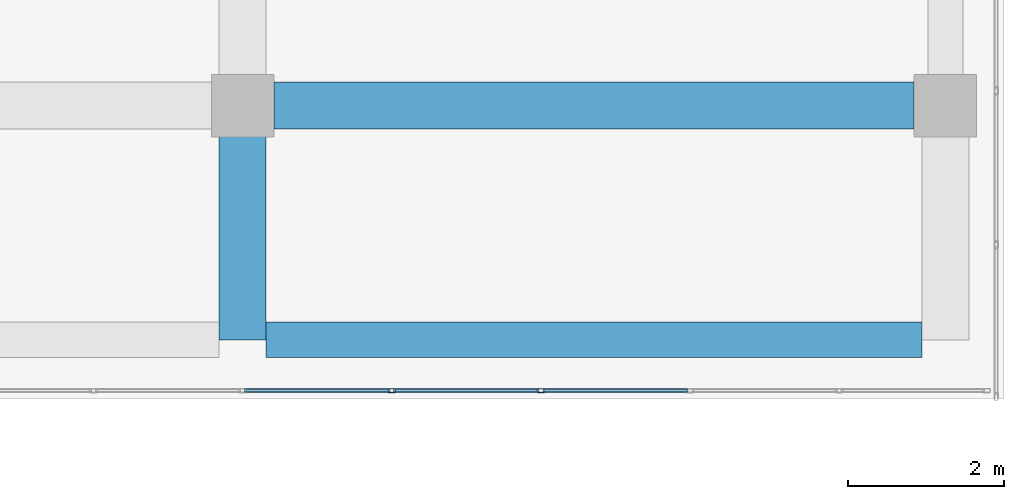
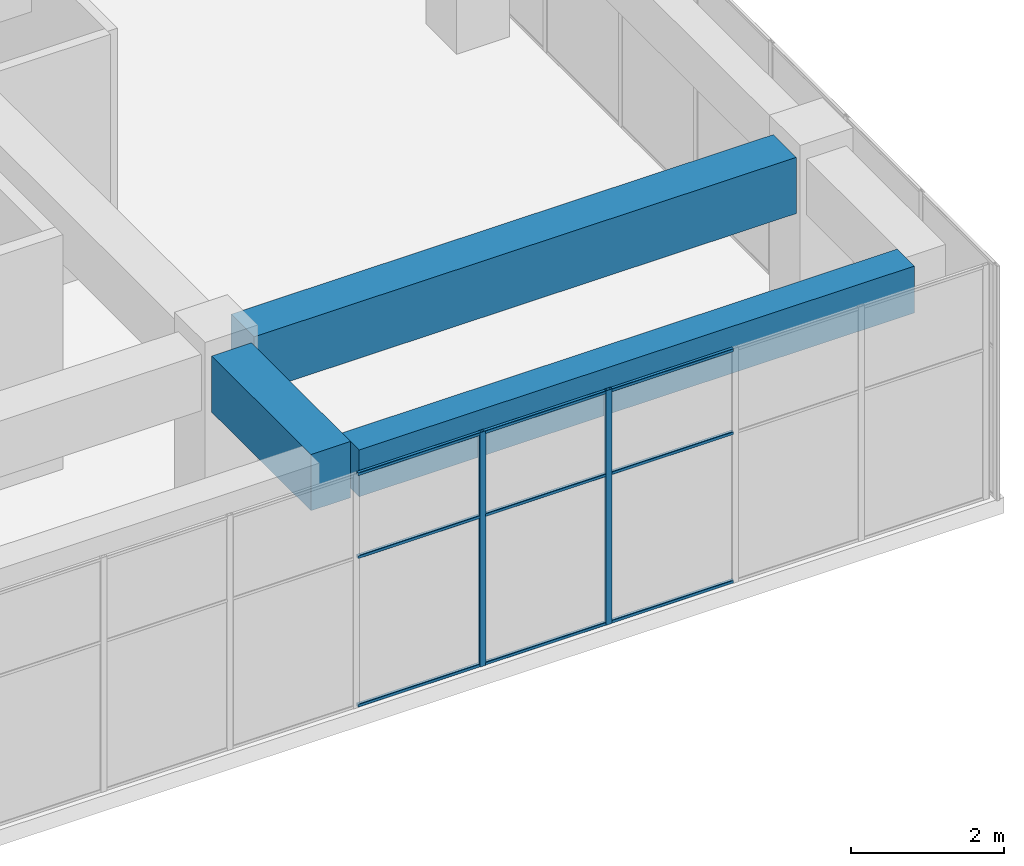
# One storey, part 25 of 55: 11 members, 3 beams, 1 element without a shape of its own.
"""IFC4 building model written with IfcOpenShell, lengths in metres."""

from ifc_helpers import new_model, si_unit, direction, frame, origin, origin_2d, place, context, subcontext, project, spatial, rectangle, hollow_rectangle, extrude, material, layer, layer_set, material_profile, profile_set, type_object, element, aggregate, save


model = new_model("IFC4")

# Units and contexts
model_context = context("Model", 3, precision=1e-05, world=origin(), true_north=direction((0.0, 1.0)))
body_context = subcontext(model_context, "Body", "Model", "MODEL_VIEW")
ifc_project = project(units=[si_unit("LENGTHUNIT", "METRE"), si_unit("AREAUNIT", "SQUARE_METRE"), si_unit("VOLUMEUNIT", "CUBIC_METRE"), si_unit("PLANEANGLEUNIT", "RADIAN"), si_unit("MASSUNIT", "GRAM", prefix="KILO")], contexts=[model_context])

# Site, building, storey
site_placement = place(None, origin())
site = spatial("IfcSite", under=ifc_project, at=site_placement, CompositionType="ELEMENT")
building_placement = place(site_placement, origin())
building = spatial("IfcBuilding", under=site, at=building_placement, Name="Tuart Plaza Theatre", CompositionType="ELEMENT")
storey_placement = place(building_placement, frame((0.0, 0.0, 21.5)))
storey = spatial("IfcBuildingStorey", under=building, at=storey_placement, Name="L05", CompositionType="ELEMENT", Elevation=21.5)

# Beams
ifc_material_1 = material(Name="Concrete N40 (40 MPa)", Category="concrete")
ifc_material_profile_1 = material_profile(ifc_material_1, rectangle(XDim=0.449951171875, YDim=0.75, at=origin_2d()), Name="BEAM 450x750 Concrete N40 (40 MPa)")
ifc_profile_set_1 = profile_set([ifc_material_profile_1], Name="Concrete N40 (40 MPa)")
beam_type_1 = type_object("IfcBeamType", Name="BEAM 450x750 Concrete N40 (40 MPa)", PredefinedType="BEAM", material=ifc_profile_set_1)
beam_1_placement = place(storey_placement, frame((141.300048828125, 53.0, 3.375), z_axis=(1.0, 0.0, 0.0), x_axis=(0.0, 1.0, 0.0)))
element("IfcBeam", 1, at=beam_1_placement, inside=storey, type_object=beam_type_1, Name="RB229", PredefinedType="BEAM", context=body_context, shape_type="SweptSolid", body=[
    extrude(rectangle(XDim=0.449951171875, YDim=0.75, at=origin_2d()), origin(), (0.0, 0.0, 1.0), 8.39990234375),
])
ifc_material_2 = material(Name="Concrete N40 (40 MPa)", Category="concrete")
ifc_material_profile_2 = material_profile(ifc_material_2, rectangle(XDim=0.60009765625, YDim=0.89990234375, at=origin_2d()), Name="BEAM 600x900 Concrete N40 (40 MPa)")
ifc_profile_set_2 = profile_set([ifc_material_profile_2], Name="Concrete N40 (40 MPa)")
beam_type_2 = type_object("IfcBeamType", Name="BEAM 600x900 Concrete N40 (40 MPa)", PredefinedType="BEAM", material=ifc_profile_set_2)
beam_2_placement = place(storey_placement, frame((141.0, 53.0, 3.300048828125), z_axis=(0.0, 1.0, 0.0), x_axis=(-1.0, 0.0, 0.0)))
element("IfcBeam", 2, at=beam_2_placement, inside=storey, type_object=beam_type_2, Name="RB228", PredefinedType="BEAM", context=body_context, shape_type="SweptSolid", body=[
    extrude(rectangle(XDim=0.60009765625, YDim=0.89990234375, at=origin_2d()), origin(), (0.0, 0.0, 1.0), 2.60009765625),
])
beam_3_placement = place(storey_placement, frame((141.39990234375, 56.0, 3.300048828125), z_axis=(1.0, 0.0, 0.0), x_axis=(0.0, 1.0, 0.0)))
element("IfcBeam", 3, at=beam_3_placement, inside=storey, type_object=beam_type_2, Name="RB231", PredefinedType="BEAM", context=body_context, shape_type="SweptSolid", body=[
    extrude(rectangle(XDim=0.60009765625, YDim=0.89990234375, at=origin_2d()), origin(), (0.0, 0.0, 1.0), 8.2001953125),
])

# Curtain wall, members
ifc_material_3 = material(Name="Aluminium and glass", Category="aluminium")
ifc_layer = layer(ifc_material_3, 0.10009765625)
ifc_layer_set = layer_set([ifc_layer], Name="CURTAIN WALL 2000 module")
curtain_wall_type = type_object("IfcCurtainWallType", Name="CURTAIN WALL 2000 module", PredefinedType="NOTDEFINED", material=ifc_layer_set)
curtain_wall_placement = place(storey_placement, origin())
curtain_wall = element("IfcCurtainWall", 4, at=curtain_wall_placement, inside=storey, type_object=curtain_wall_type, Name="CW76", PredefinedType="NOTDEFINED")
ifc_material_4 = material(Name="Aluminium 6063-T5", Category="aluminium")
ifc_material_profile_3 = material_profile(ifc_material_4, hollow_rectangle(XDim=0.050048828125, YDim=0.10009765625, WallThickness=0.00390625, InnerFilletRadius=0.00390625, OuterFilletRadius=0.008056640625, at=origin_2d()), Name="RHS 100x50x4")
ifc_profile_set_3 = profile_set([ifc_material_profile_3], Name="Aluminium 6063-T5")
member_type_1 = type_object("IfcMemberType", Name="MULLION RHS 100x50x4", PredefinedType="MULLION", material=ifc_profile_set_3)
member_1_placement = place(storey_placement, frame((142.909912109375, 52.35009765625, 0.0), z_axis=(0.0, 0.0, 1.0), x_axis=(0.0, 1.0, 0.0)))
member_1 = element("IfcMember", 5, at=member_1_placement, type_object=member_type_1, Name="CW76 mullion 7", PredefinedType="MULLION", context=body_context, shape_type="SweptSolid", body=[
    extrude(hollow_rectangle(XDim=0.050048828125, YDim=0.10009765625, WallThickness=0.00390625, InnerFilletRadius=0.00390625, OuterFilletRadius=0.008056640625, at=origin_2d()), origin(), (0.0, 0.0, 1.0), 3.75),
])
member_2_placement = place(storey_placement, frame((144.820068359375, 52.35009765625, 0.0), z_axis=(0.0, 0.0, 1.0), x_axis=(0.0, 1.0, 0.0)))
member_2 = element("IfcMember", 6, at=member_2_placement, type_object=member_type_1, Name="CW76 mullion 8", PredefinedType="MULLION", context=body_context, shape_type="SweptSolid", body=[
    extrude(hollow_rectangle(XDim=0.050048828125, YDim=0.10009765625, WallThickness=0.00390625, InnerFilletRadius=0.00390625, OuterFilletRadius=0.008056640625, at=origin_2d()), origin(), (0.0, 0.0, 1.0), 3.75),
])
ifc_material_5 = material(Name="Aluminium 6063-T5", Category="aluminium")
ifc_material_profile_4 = material_profile(ifc_material_5, hollow_rectangle(XDim=0.050048828125, YDim=0.050048828125, WallThickness=0.00390625, InnerFilletRadius=0.00390625, OuterFilletRadius=0.008056640625, at=origin_2d()), Name="RHS 50x50x4")
ifc_profile_set_4 = profile_set([ifc_material_profile_4], Name="Aluminium 6063-T5")
member_type_2 = type_object("IfcMemberType", Name="TRANSOM RHS 50x50x4", PredefinedType="USERDEFINED", material=ifc_profile_set_4)
member_3_placement = place(storey_placement, frame((141.02490234375, 52.35009765625, 0.02490234375), z_axis=(1.0, 0.0, 0.0), x_axis=(0.0, 1.0, 0.0)))
member_3 = element("IfcMember", 7, at=member_3_placement, type_object=member_type_2, Name="CW76 transom 6.1", ObjectType="TRANSOM", PredefinedType="USERDEFINED", context=body_context, shape_type="SweptSolid", body=[
    extrude(hollow_rectangle(XDim=0.050048828125, YDim=0.050048828125, WallThickness=0.00390625, InnerFilletRadius=0.00390625, OuterFilletRadius=0.008056640625, at=origin_2d()), origin(), (0.0, 0.0, 1.0), 1.860107421875),
])
member_4_placement = place(storey_placement, frame((141.02490234375, 52.35009765625, 2.39990234375), z_axis=(1.0, 0.0, 0.0), x_axis=(0.0, 1.0, 0.0)))
member_4 = element("IfcMember", 8, at=member_4_placement, type_object=member_type_2, Name="CW76 transom 6.2", ObjectType="TRANSOM", PredefinedType="USERDEFINED", context=body_context, shape_type="SweptSolid", body=[
    extrude(hollow_rectangle(XDim=0.050048828125, YDim=0.050048828125, WallThickness=0.00390625, InnerFilletRadius=0.00390625, OuterFilletRadius=0.008056640625, at=origin_2d()), origin(), (0.0, 0.0, 1.0), 1.860107421875),
])
member_5_placement = place(storey_placement, frame((141.02490234375, 52.35009765625, 3.72509765625), z_axis=(1.0, 0.0, 0.0), x_axis=(0.0, 1.0, 0.0)))
member_5 = element("IfcMember", 9, at=member_5_placement, type_object=member_type_2, Name="CW76 transom 6.3", ObjectType="TRANSOM", PredefinedType="USERDEFINED", context=body_context, shape_type="SweptSolid", body=[
    extrude(hollow_rectangle(XDim=0.050048828125, YDim=0.050048828125, WallThickness=0.00390625, InnerFilletRadius=0.00390625, OuterFilletRadius=0.008056640625, at=origin_2d()), origin(), (0.0, 0.0, 1.0), 1.860107421875),
])
member_6_placement = place(storey_placement, frame((142.93505859375, 52.35009765625, 0.02490234375), z_axis=(1.0, 0.0, 0.0), x_axis=(0.0, 1.0, 0.0)))
member_6 = element("IfcMember", 10, at=member_6_placement, type_object=member_type_2, Name="CW76 transom 7.1", ObjectType="TRANSOM", PredefinedType="USERDEFINED", context=body_context, shape_type="SweptSolid", body=[
    extrude(hollow_rectangle(XDim=0.050048828125, YDim=0.050048828125, WallThickness=0.00390625, InnerFilletRadius=0.00390625, OuterFilletRadius=0.008056640625, at=origin_2d()), origin(), (0.0, 0.0, 1.0), 1.85986328125),
])
member_7_placement = place(storey_placement, frame((142.93505859375, 52.35009765625, 2.39990234375), z_axis=(1.0, 0.0, 0.0), x_axis=(0.0, 1.0, 0.0)))
member_7 = element("IfcMember", 11, at=member_7_placement, type_object=member_type_2, Name="CW76 transom 7.2", ObjectType="TRANSOM", PredefinedType="USERDEFINED", context=body_context, shape_type="SweptSolid", body=[
    extrude(hollow_rectangle(XDim=0.050048828125, YDim=0.050048828125, WallThickness=0.00390625, InnerFilletRadius=0.00390625, OuterFilletRadius=0.008056640625, at=origin_2d()), origin(), (0.0, 0.0, 1.0), 1.85986328125),
])
member_8_placement = place(storey_placement, frame((142.93505859375, 52.35009765625, 3.72509765625), z_axis=(1.0, 0.0, 0.0), x_axis=(0.0, 1.0, 0.0)))
member_8 = element("IfcMember", 12, at=member_8_placement, type_object=member_type_2, Name="CW76 transom 7.3", ObjectType="TRANSOM", PredefinedType="USERDEFINED", context=body_context, shape_type="SweptSolid", body=[
    extrude(hollow_rectangle(XDim=0.050048828125, YDim=0.050048828125, WallThickness=0.00390625, InnerFilletRadius=0.00390625, OuterFilletRadius=0.008056640625, at=origin_2d()), origin(), (0.0, 0.0, 1.0), 1.85986328125),
])
member_9_placement = place(storey_placement, frame((144.844970703125, 52.35009765625, 0.02490234375), z_axis=(1.0, 0.0, 0.0), x_axis=(0.0, 1.0, 0.0)))
member_9 = element("IfcMember", 13, at=member_9_placement, type_object=member_type_2, Name="CW76 transom 8.1", ObjectType="TRANSOM", PredefinedType="USERDEFINED", context=body_context, shape_type="SweptSolid", body=[
    extrude(hollow_rectangle(XDim=0.050048828125, YDim=0.050048828125, WallThickness=0.00390625, InnerFilletRadius=0.00390625, OuterFilletRadius=0.008056640625, at=origin_2d()), origin(), (0.0, 0.0, 1.0), 1.860107421875),
])
member_10_placement = place(storey_placement, frame((144.844970703125, 52.35009765625, 2.39990234375), z_axis=(1.0, 0.0, 0.0), x_axis=(0.0, 1.0, 0.0)))
member_10 = element("IfcMember", 14, at=member_10_placement, type_object=member_type_2, Name="CW76 transom 8.2", ObjectType="TRANSOM", PredefinedType="USERDEFINED", context=body_context, shape_type="SweptSolid", body=[
    extrude(hollow_rectangle(XDim=0.050048828125, YDim=0.050048828125, WallThickness=0.00390625, InnerFilletRadius=0.00390625, OuterFilletRadius=0.008056640625, at=origin_2d()), origin(), (0.0, 0.0, 1.0), 1.860107421875),
])
member_11_placement = place(storey_placement, frame((144.844970703125, 52.35009765625, 3.72509765625), z_axis=(1.0, 0.0, 0.0), x_axis=(0.0, 1.0, 0.0)))
member_11 = element("IfcMember", 15, at=member_11_placement, type_object=member_type_2, Name="CW76 transom 8.3", ObjectType="TRANSOM", PredefinedType="USERDEFINED", context=body_context, shape_type="SweptSolid", body=[
    extrude(hollow_rectangle(XDim=0.050048828125, YDim=0.050048828125, WallThickness=0.00390625, InnerFilletRadius=0.00390625, OuterFilletRadius=0.008056640625, at=origin_2d()), origin(), (0.0, 0.0, 1.0), 1.860107421875),
])
aggregate(curtain_wall, [member_1, member_2, member_3, member_4, member_5, member_6, member_7, member_8, member_9, member_10, member_11])

save(model, "model.ifc")
